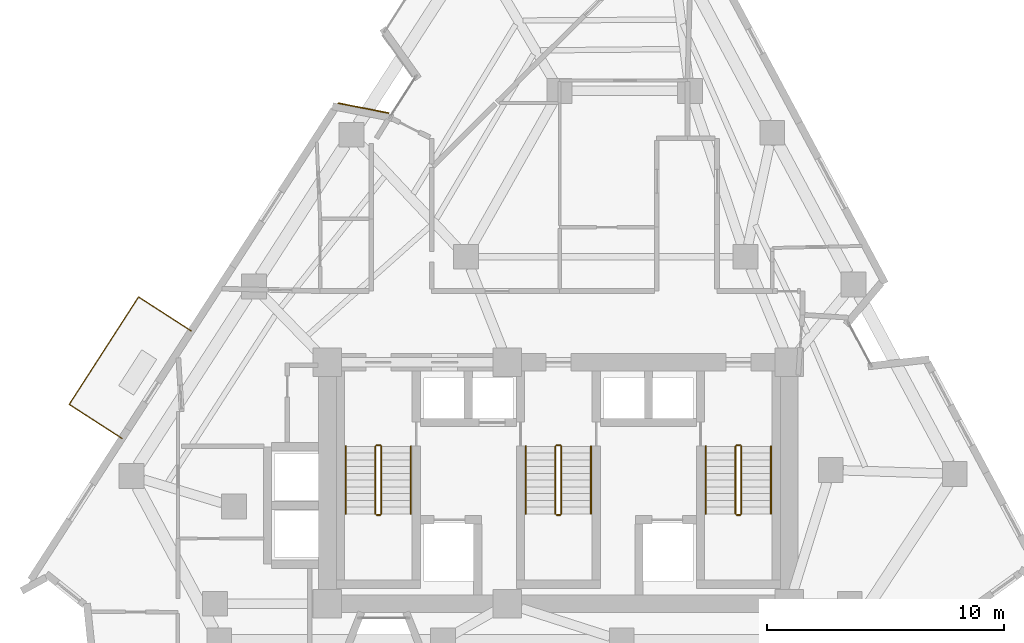
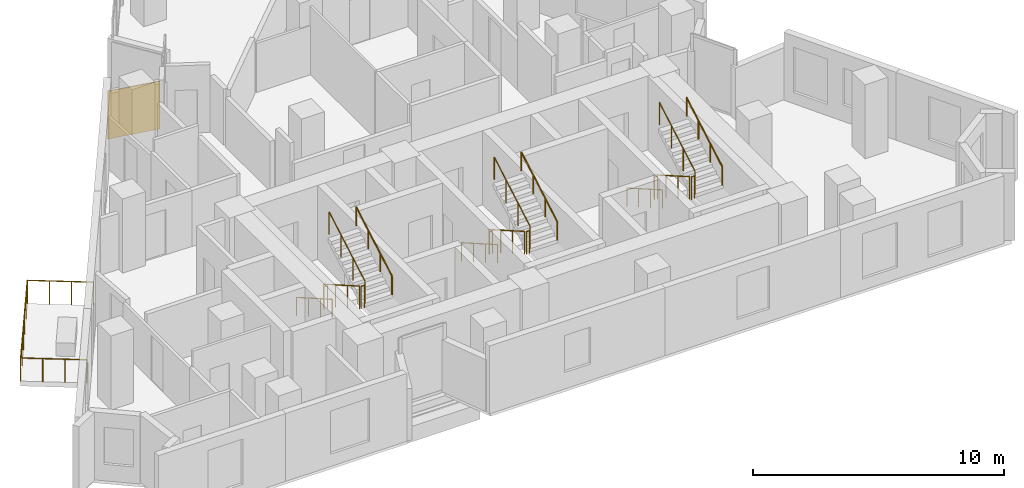
# One storey, part 10 of 11: 19 railings, 1 covering.
"""IFC4 building model written with IfcOpenShell, lengths in metres."""

from ifc_helpers import new_model, si_unit, direction, frame, origin, origin_2d, place, context, subcontext, project, spatial, rectangle, circle, extrude, material, layer, layer_set, type_object, element, save


model = new_model("IFC4")

# Units and contexts
model_context = context("Model", 3, precision=1e-05, world=origin(), true_north=direction((0.0, 1.0)))
body_context = subcontext(model_context, "Body", "Model", "MODEL_VIEW")
ifc_project = project(units=[si_unit("LENGTHUNIT", "METRE"), si_unit("AREAUNIT", "SQUARE_METRE"), si_unit("VOLUMEUNIT", "CUBIC_METRE"), si_unit("PLANEANGLEUNIT", "RADIAN"), si_unit("MASSUNIT", "GRAM", prefix="KILO")], contexts=[model_context])

# Site, building, storey
site_placement = place(None, origin())
site = spatial("IfcSite", under=ifc_project, at=site_placement, CompositionType="ELEMENT")
building_placement = place(site_placement, origin())
building = spatial("IfcBuilding", under=site, at=building_placement, Name="Almagre Mirador Tower", CompositionType="ELEMENT")
storey_placement = place(building_placement, frame((0.0, 0.0, 193.199951171875)))
storey = spatial("IfcBuildingStorey", under=building, at=storey_placement, Name="L50", CompositionType="ELEMENT", Elevation=193.199951171875)

# Covering
ifc_material_1 = material(Name="Almagre terracotta architectural cladding", Category="masonry")
ifc_layer = layer(ifc_material_1, 0.044921875)
ifc_layer_set = layer_set([ifc_layer], Name="Almagre terracotta architectural cladding")
covering_type = type_object("IfcCoveringType", Name="COV-CLAD-ALMAGRE", PredefinedType="CLADDING", material=ifc_layer_set)
covering_placement = place(storey_placement, frame((29.07275390625, 25.473876953125, 0.10009765625), z_axis=(0.0, 0.0, 1.0), x_axis=(0.981181616545, -0.193087118563, 0.0)))
element("IfcCovering", 1, at=covering_placement, inside=storey, type_object=covering_type, Name="L50 almagre terracotta pier cladding", PredefinedType="CLADDING", context=body_context, shape_type="SweptSolid", body=[
    extrude(rectangle(XDim=2.195068359375, YDim=0.044921875, at=origin_2d()), origin(), (0.0, 0.0, 1.0), 2.324951171875),
])

# Railings
ifc_material_2 = material(Name="Black anodized aluminium", Category="aluminium")
railing_type_1 = type_object("IfcRailingType", Name="RLG-BAL-1150", PredefinedType="BALUSTRADE", material=ifc_material_2)
railing_1_placement = place(storey_placement, frame((21.802978515625, 16.069091796875, 0.0)))
element("IfcRailing", 2, at=railing_1_placement, inside=storey, type_object=railing_type_1, Name="L50 west balcony balustrade 1", PredefinedType="BALUSTRADE", context=body_context, shape_type="SweptSolid", body=[
    extrude(circle(Radius=0.02392578125, at=origin_2d()), frame((0.0, 0.0, 1.1259765625), z_axis=(-0.840363006346, 0.542024000913, 0.0), x_axis=(-0.542024000913, -0.840363006346, 0.0)), (0.0, 0.0, 1.0), 2.64892578125),
    extrude(circle(Radius=0.02392578125, at=origin_2d()), frame((-2.22607421875, 1.435791015625, 1.1259765625), z_axis=(-0.542043453001, -0.840350459665, 0.0), x_axis=(0.840350459665, -0.542043453001, 0.0)), (0.0, 0.0, 1.0), 5.39990234375),
    extrude(circle(Radius=0.02392578125, at=origin_2d()), frame((-5.153076171875, -3.10205078125, 1.1259765625), z_axis=(0.840429304159, -0.54192119788, 0.0), x_axis=(0.54192119788, 0.840429304159, 0.0)), (0.0, 0.0, 1.0), 2.64990234375),
    extrude(circle(Radius=0.02099609375, at=origin_2d()), origin(), (0.0, 0.0, 1.0), 1.101806640625),
    extrude(circle(Radius=0.02099609375, at=origin_2d()), frame((-0.741943359375, 0.478515625, 0.0)), (0.0, 0.0, 1.0), 1.101806640625),
    extrude(circle(Radius=0.02099609375, at=origin_2d()), frame((-1.484130859375, 0.957275390625, 0.0)), (0.0, 0.0, 1.0), 1.101806640625),
    extrude(circle(Radius=0.02099609375, at=origin_2d()), frame((-2.22607421875, 1.435791015625, 0.0)), (0.0, 0.0, 1.0), 1.101806640625),
    extrude(circle(Radius=0.02099609375, at=origin_2d()), frame((-2.8115234375, 0.5283203125, 0.0)), (0.0, 0.0, 1.0), 1.101806640625),
    extrude(circle(Radius=0.02099609375, at=origin_2d()), frame((-3.39697265625, -0.37939453125, 0.0)), (0.0, 0.0, 1.0), 1.101806640625),
    extrude(circle(Radius=0.02099609375, at=origin_2d()), frame((-3.982177734375, -1.286865234375, 0.0)), (0.0, 0.0, 1.0), 1.101806640625),
    extrude(circle(Radius=0.02099609375, at=origin_2d()), frame((-4.567626953125, -2.194580078125, 0.0)), (0.0, 0.0, 1.0), 1.101806640625),
    extrude(circle(Radius=0.02099609375, at=origin_2d()), frame((-5.153076171875, -3.10205078125, 0.0)), (0.0, 0.0, 1.0), 1.101806640625),
    extrude(circle(Radius=0.02099609375, at=origin_2d()), frame((-4.41064453125, -3.580810546875, 0.0)), (0.0, 0.0, 1.0), 1.101806640625),
    extrude(circle(Radius=0.02099609375, at=origin_2d()), frame((-3.66845703125, -4.059326171875, 0.0)), (0.0, 0.0, 1.0), 1.101806640625),
    extrude(circle(Radius=0.02099609375, at=origin_2d()), frame((-2.926025390625, -4.5380859375, 0.0)), (0.0, 0.0, 1.0), 1.101806640625),
])
ifc_material_3 = material(Name="Painted galvanized steel", Category="steel")
railing_type_2 = type_object("IfcRailingType", Name="RLG-GRD-1100", PredefinedType="GUARDRAIL", material=ifc_material_3)
railing_2_placement = place(storey_placement, frame((29.574951171875, 11.199951171875, 0.16357421875)))
element("IfcRailing", 3, at=railing_2_placement, inside=storey, type_object=railing_type_2, Name="L50 ST-1 stair guard 1", PredefinedType="GUARDRAIL", context=body_context, shape_type="SweptSolid", body=[
    extrude(circle(Radius=0.02392578125, at=origin_2d()), frame((0.0, 0.0, 1.09619140625), z_axis=(0.0, -0.867194282975, 0.497969954491), x_axis=(1.0, 0.0, 0.0)), (0.0, 0.0, 1.0), 3.286376953125),
    extrude(circle(Radius=0.02099609375, at=origin_2d()), origin(), (0.0, 0.0, 1.0), 1.072021484375),
    extrude(circle(Radius=0.02099609375, at=origin_2d()), frame((0.0, -0.949951171875, 0.54541015625)), (0.0, 0.0, 1.0), 1.072021484375),
    extrude(circle(Radius=0.02099609375, at=origin_2d()), frame((0.0, -1.89990234375, 1.091064453125)), (0.0, 0.0, 1.0), 1.072021484375),
    extrude(circle(Radius=0.02099609375, at=origin_2d()), frame((0.0, -2.849853515625, 1.636474609375)), (0.0, 0.0, 1.0), 1.072021484375),
])
railing_3_placement = place(storey_placement, frame((29.625, 8.300048828125, 1.800048828125)))
element("IfcRailing", 4, at=railing_3_placement, inside=storey, type_object=railing_type_2, Name="L50 ST-1 stair guard 2", PredefinedType="GUARDRAIL", context=body_context, shape_type="SweptSolid", body=[
    extrude(circle(Radius=0.02392578125, at=origin_2d()), frame((0.0, 0.0, 1.09619140625), z_axis=(1.0, 0.0, 0.0), x_axis=(0.0, 1.0, 0.0)), (0.0, 0.0, 1.0), 0.14990234375),
    extrude(circle(Radius=0.02099609375, at=origin_2d()), origin(), (0.0, 0.0, 1.0), 1.072021484375),
    extrude(circle(Radius=0.02099609375, at=origin_2d()), frame((0.14990234375, 0.0, 0.0)), (0.0, 0.0, 1.0), 1.072021484375),
])
railing_4_placement = place(storey_placement, frame((29.824951171875, 8.35009765625, 1.963623046875)))
element("IfcRailing", 5, at=railing_4_placement, inside=storey, type_object=railing_type_2, Name="L50 ST-1 stair guard 3", PredefinedType="GUARDRAIL", context=body_context, shape_type="SweptSolid", body=[
    extrude(circle(Radius=0.02392578125, at=origin_2d()), frame((0.0, 0.0, 1.09619140625), z_axis=(0.0, 0.867194282975, 0.497969954491), x_axis=(-1.0, 0.0, 0.0)), (0.0, 0.0, 1.0), 3.286376953125),
    extrude(circle(Radius=0.02099609375, at=origin_2d()), origin(), (0.0, 0.0, 1.0), 1.072021484375),
    extrude(circle(Radius=0.02099609375, at=origin_2d()), frame((0.0, 0.949951171875, 0.54541015625)), (0.0, 0.0, 1.0), 1.072021484375),
    extrude(circle(Radius=0.02099609375, at=origin_2d()), frame((0.0, 1.89990234375, 1.091064453125)), (0.0, 0.0, 1.0), 1.072021484375),
    extrude(circle(Radius=0.02099609375, at=origin_2d()), frame((0.0, 2.849853515625, 1.636474609375)), (0.0, 0.0, 1.0), 1.072021484375),
])
railing_5_placement = place(storey_placement, frame((29.625, 11.25, 0.0)))
element("IfcRailing", 6, at=railing_5_placement, inside=storey, type_object=railing_type_2, Name="L50 ST-1 stair guard 4", PredefinedType="GUARDRAIL", context=body_context, shape_type="SweptSolid", body=[
    extrude(circle(Radius=0.02392578125, at=origin_2d()), frame((0.0, 0.0, 1.09619140625), z_axis=(1.0, 0.0, 0.0), x_axis=(0.0, 1.0, 0.0)), (0.0, 0.0, 1.0), 0.14990234375),
    extrude(circle(Radius=0.02099609375, at=origin_2d()), origin(), (0.0, 0.0, 1.0), 1.072021484375),
    extrude(circle(Radius=0.02099609375, at=origin_2d()), frame((0.14990234375, 0.0, 0.0)), (0.0, 0.0, 1.0), 1.072021484375),
])
railing_6_placement = place(storey_placement, frame((37.175048828125, 11.199951171875, 0.16357421875)))
element("IfcRailing", 7, at=railing_6_placement, inside=storey, type_object=railing_type_2, Name="L50 ST-2 stair guard 1", PredefinedType="GUARDRAIL", context=body_context, shape_type="SweptSolid", body=[
    extrude(circle(Radius=0.02392578125, at=origin_2d()), frame((0.0, 0.0, 1.09619140625), z_axis=(0.0, -0.867194282975, 0.497969954491), x_axis=(1.0, 0.0, 0.0)), (0.0, 0.0, 1.0), 3.286376953125),
    extrude(circle(Radius=0.02099609375, at=origin_2d()), origin(), (0.0, 0.0, 1.0), 1.072021484375),
    extrude(circle(Radius=0.02099609375, at=origin_2d()), frame((0.0, -0.949951171875, 0.54541015625)), (0.0, 0.0, 1.0), 1.072021484375),
    extrude(circle(Radius=0.02099609375, at=origin_2d()), frame((0.0, -1.89990234375, 1.091064453125)), (0.0, 0.0, 1.0), 1.072021484375),
    extrude(circle(Radius=0.02099609375, at=origin_2d()), frame((0.0, -2.849853515625, 1.636474609375)), (0.0, 0.0, 1.0), 1.072021484375),
])
railing_7_placement = place(storey_placement, frame((37.22509765625, 8.300048828125, 1.800048828125)))
element("IfcRailing", 8, at=railing_7_placement, inside=storey, type_object=railing_type_2, Name="L50 ST-2 stair guard 2", PredefinedType="GUARDRAIL", context=body_context, shape_type="SweptSolid", body=[
    extrude(circle(Radius=0.02392578125, at=origin_2d()), frame((0.0, 0.0, 1.09619140625), z_axis=(1.0, 0.0, 0.0), x_axis=(0.0, 1.0, 0.0)), (0.0, 0.0, 1.0), 0.14990234375),
    extrude(circle(Radius=0.02099609375, at=origin_2d()), origin(), (0.0, 0.0, 1.0), 1.072021484375),
    extrude(circle(Radius=0.02099609375, at=origin_2d()), frame((0.14990234375, 0.0, 0.0)), (0.0, 0.0, 1.0), 1.072021484375),
])
railing_8_placement = place(storey_placement, frame((37.425048828125, 8.35009765625, 1.963623046875)))
element("IfcRailing", 9, at=railing_8_placement, inside=storey, type_object=railing_type_2, Name="L50 ST-2 stair guard 3", PredefinedType="GUARDRAIL", context=body_context, shape_type="SweptSolid", body=[
    extrude(circle(Radius=0.02392578125, at=origin_2d()), frame((0.0, 0.0, 1.09619140625), z_axis=(0.0, 0.867194282975, 0.497969954491), x_axis=(-1.0, 0.0, 0.0)), (0.0, 0.0, 1.0), 3.286376953125),
    extrude(circle(Radius=0.02099609375, at=origin_2d()), origin(), (0.0, 0.0, 1.0), 1.072021484375),
    extrude(circle(Radius=0.02099609375, at=origin_2d()), frame((0.0, 0.949951171875, 0.54541015625)), (0.0, 0.0, 1.0), 1.072021484375),
    extrude(circle(Radius=0.02099609375, at=origin_2d()), frame((0.0, 1.89990234375, 1.091064453125)), (0.0, 0.0, 1.0), 1.072021484375),
    extrude(circle(Radius=0.02099609375, at=origin_2d()), frame((0.0, 2.849853515625, 1.636474609375)), (0.0, 0.0, 1.0), 1.072021484375),
])
railing_9_placement = place(storey_placement, frame((37.22509765625, 11.25, 0.0)))
element("IfcRailing", 10, at=railing_9_placement, inside=storey, type_object=railing_type_2, Name="L50 ST-2 stair guard 4", PredefinedType="GUARDRAIL", context=body_context, shape_type="SweptSolid", body=[
    extrude(circle(Radius=0.02392578125, at=origin_2d()), frame((0.0, 0.0, 1.09619140625), z_axis=(1.0, 0.0, 0.0), x_axis=(0.0, 1.0, 0.0)), (0.0, 0.0, 1.0), 0.14990234375),
    extrude(circle(Radius=0.02099609375, at=origin_2d()), origin(), (0.0, 0.0, 1.0), 1.072021484375),
    extrude(circle(Radius=0.02099609375, at=origin_2d()), frame((0.14990234375, 0.0, 0.0)), (0.0, 0.0, 1.0), 1.072021484375),
])
railing_10_placement = place(storey_placement, frame((44.77490234375, 11.199951171875, 0.16357421875)))
element("IfcRailing", 11, at=railing_10_placement, inside=storey, type_object=railing_type_2, Name="L50 ST-3 stair guard 1", PredefinedType="GUARDRAIL", context=body_context, shape_type="SweptSolid", body=[
    extrude(circle(Radius=0.02392578125, at=origin_2d()), frame((0.0, 0.0, 1.09619140625), z_axis=(0.0, -0.867194282975, 0.497969954491), x_axis=(1.0, 0.0, 0.0)), (0.0, 0.0, 1.0), 3.286376953125),
    extrude(circle(Radius=0.02099609375, at=origin_2d()), origin(), (0.0, 0.0, 1.0), 1.072021484375),
    extrude(circle(Radius=0.02099609375, at=origin_2d()), frame((0.0, -0.949951171875, 0.54541015625)), (0.0, 0.0, 1.0), 1.072021484375),
    extrude(circle(Radius=0.02099609375, at=origin_2d()), frame((0.0, -1.89990234375, 1.091064453125)), (0.0, 0.0, 1.0), 1.072021484375),
    extrude(circle(Radius=0.02099609375, at=origin_2d()), frame((0.0, -2.849853515625, 1.636474609375)), (0.0, 0.0, 1.0), 1.072021484375),
])
railing_11_placement = place(storey_placement, frame((44.824951171875, 8.300048828125, 1.800048828125)))
element("IfcRailing", 12, at=railing_11_placement, inside=storey, type_object=railing_type_2, Name="L50 ST-3 stair guard 2", PredefinedType="GUARDRAIL", context=body_context, shape_type="SweptSolid", body=[
    extrude(circle(Radius=0.02392578125, at=origin_2d()), frame((0.0, 0.0, 1.09619140625), z_axis=(1.0, 0.0, 0.0), x_axis=(0.0, 1.0, 0.0)), (0.0, 0.0, 1.0), 0.150146484375),
    extrude(circle(Radius=0.02099609375, at=origin_2d()), origin(), (0.0, 0.0, 1.0), 1.072021484375),
    extrude(circle(Radius=0.02099609375, at=origin_2d()), frame((0.150146484375, 0.0, 0.0)), (0.0, 0.0, 1.0), 1.072021484375),
])
railing_12_placement = place(storey_placement, frame((45.02490234375, 8.35009765625, 1.963623046875)))
element("IfcRailing", 13, at=railing_12_placement, inside=storey, type_object=railing_type_2, Name="L50 ST-3 stair guard 3", PredefinedType="GUARDRAIL", context=body_context, shape_type="SweptSolid", body=[
    extrude(circle(Radius=0.02392578125, at=origin_2d()), frame((0.0, 0.0, 1.09619140625), z_axis=(0.0, 0.867194282975, 0.497969954491), x_axis=(-1.0, 0.0, 0.0)), (0.0, 0.0, 1.0), 3.286376953125),
    extrude(circle(Radius=0.02099609375, at=origin_2d()), origin(), (0.0, 0.0, 1.0), 1.072021484375),
    extrude(circle(Radius=0.02099609375, at=origin_2d()), frame((0.0, 0.949951171875, 0.54541015625)), (0.0, 0.0, 1.0), 1.072021484375),
    extrude(circle(Radius=0.02099609375, at=origin_2d()), frame((0.0, 1.89990234375, 1.091064453125)), (0.0, 0.0, 1.0), 1.072021484375),
    extrude(circle(Radius=0.02099609375, at=origin_2d()), frame((0.0, 2.849853515625, 1.636474609375)), (0.0, 0.0, 1.0), 1.072021484375),
])
railing_13_placement = place(storey_placement, frame((44.824951171875, 11.25, 0.0)))
element("IfcRailing", 14, at=railing_13_placement, inside=storey, type_object=railing_type_2, Name="L50 ST-3 stair guard 4", PredefinedType="GUARDRAIL", context=body_context, shape_type="SweptSolid", body=[
    extrude(circle(Radius=0.02392578125, at=origin_2d()), frame((0.0, 0.0, 1.09619140625), z_axis=(1.0, 0.0, 0.0), x_axis=(0.0, 1.0, 0.0)), (0.0, 0.0, 1.0), 0.150146484375),
    extrude(circle(Radius=0.02099609375, at=origin_2d()), origin(), (0.0, 0.0, 1.0), 1.072021484375),
    extrude(circle(Radius=0.02099609375, at=origin_2d()), frame((0.150146484375, 0.0, 0.0)), (0.0, 0.0, 1.0), 1.072021484375),
])
ifc_material_4 = material(Name="Brushed stainless steel", Category="steel")
railing_type_3 = type_object("IfcRailingType", Name="RLG-HND-915", PredefinedType="HANDRAIL", material=ifc_material_4)
railing_14_placement = place(storey_placement, frame((28.324951171875, 11.199951171875, 0.16357421875)))
element("IfcRailing", 15, at=railing_14_placement, inside=storey, type_object=railing_type_3, Name="L50 ST-1 stair handrail 1", PredefinedType="HANDRAIL", context=body_context, shape_type="SweptSolid", body=[
    extrude(circle(Radius=0.02392578125, at=origin_2d()), frame((0.0, 0.0, 0.89111328125), z_axis=(0.0, -0.867194282975, 0.497969954491), x_axis=(1.0, 0.0, 0.0)), (0.0, 0.0, 1.0), 3.286376953125),
    extrude(circle(Radius=0.02099609375, at=origin_2d()), origin(), (0.0, 0.0, 1.0), 0.866943359375),
    extrude(circle(Radius=0.02099609375, at=origin_2d()), frame((0.0, -0.949951171875, 0.54541015625)), (0.0, 0.0, 1.0), 0.866943359375),
    extrude(circle(Radius=0.02099609375, at=origin_2d()), frame((0.0, -1.89990234375, 1.091064453125)), (0.0, 0.0, 1.0), 0.866943359375),
    extrude(circle(Radius=0.02099609375, at=origin_2d()), frame((0.0, -2.849853515625, 1.636474609375)), (0.0, 0.0, 1.0), 0.866943359375),
])
railing_15_placement = place(storey_placement, frame((31.074951171875, 8.35009765625, 1.963623046875)))
element("IfcRailing", 16, at=railing_15_placement, inside=storey, type_object=railing_type_3, Name="L50 ST-1 stair handrail 2", PredefinedType="HANDRAIL", context=body_context, shape_type="SweptSolid", body=[
    extrude(circle(Radius=0.02392578125, at=origin_2d()), frame((0.0, 0.0, 0.89111328125), z_axis=(0.0, 0.867194282975, 0.497969954491), x_axis=(-1.0, 0.0, 0.0)), (0.0, 0.0, 1.0), 3.286376953125),
    extrude(circle(Radius=0.02099609375, at=origin_2d()), origin(), (0.0, 0.0, 1.0), 0.866943359375),
    extrude(circle(Radius=0.02099609375, at=origin_2d()), frame((0.0, 0.949951171875, 0.54541015625)), (0.0, 0.0, 1.0), 0.866943359375),
    extrude(circle(Radius=0.02099609375, at=origin_2d()), frame((0.0, 1.89990234375, 1.091064453125)), (0.0, 0.0, 1.0), 0.866943359375),
    extrude(circle(Radius=0.02099609375, at=origin_2d()), frame((0.0, 2.849853515625, 1.636474609375)), (0.0, 0.0, 1.0), 0.866943359375),
])
railing_16_placement = place(storey_placement, frame((35.925048828125, 11.199951171875, 0.16357421875)))
element("IfcRailing", 17, at=railing_16_placement, inside=storey, type_object=railing_type_3, Name="L50 ST-2 stair handrail 1", PredefinedType="HANDRAIL", context=body_context, shape_type="SweptSolid", body=[
    extrude(circle(Radius=0.02392578125, at=origin_2d()), frame((0.0, 0.0, 0.89111328125), z_axis=(0.0, -0.867194282975, 0.497969954491), x_axis=(1.0, 0.0, 0.0)), (0.0, 0.0, 1.0), 3.286376953125),
    extrude(circle(Radius=0.02099609375, at=origin_2d()), origin(), (0.0, 0.0, 1.0), 0.866943359375),
    extrude(circle(Radius=0.02099609375, at=origin_2d()), frame((0.0, -0.949951171875, 0.54541015625)), (0.0, 0.0, 1.0), 0.866943359375),
    extrude(circle(Radius=0.02099609375, at=origin_2d()), frame((0.0, -1.89990234375, 1.091064453125)), (0.0, 0.0, 1.0), 0.866943359375),
    extrude(circle(Radius=0.02099609375, at=origin_2d()), frame((0.0, -2.849853515625, 1.636474609375)), (0.0, 0.0, 1.0), 0.866943359375),
])
railing_17_placement = place(storey_placement, frame((38.675048828125, 8.35009765625, 1.963623046875)))
element("IfcRailing", 18, at=railing_17_placement, inside=storey, type_object=railing_type_3, Name="L50 ST-2 stair handrail 2", PredefinedType="HANDRAIL", context=body_context, shape_type="SweptSolid", body=[
    extrude(circle(Radius=0.02392578125, at=origin_2d()), frame((0.0, 0.0, 0.89111328125), z_axis=(0.0, 0.867194282975, 0.497969954491), x_axis=(-1.0, 0.0, 0.0)), (0.0, 0.0, 1.0), 3.286376953125),
    extrude(circle(Radius=0.02099609375, at=origin_2d()), origin(), (0.0, 0.0, 1.0), 0.866943359375),
    extrude(circle(Radius=0.02099609375, at=origin_2d()), frame((0.0, 0.949951171875, 0.54541015625)), (0.0, 0.0, 1.0), 0.866943359375),
    extrude(circle(Radius=0.02099609375, at=origin_2d()), frame((0.0, 1.89990234375, 1.091064453125)), (0.0, 0.0, 1.0), 0.866943359375),
    extrude(circle(Radius=0.02099609375, at=origin_2d()), frame((0.0, 2.849853515625, 1.636474609375)), (0.0, 0.0, 1.0), 0.866943359375),
])
railing_18_placement = place(storey_placement, frame((43.52490234375, 11.199951171875, 0.16357421875)))
element("IfcRailing", 19, at=railing_18_placement, inside=storey, type_object=railing_type_3, Name="L50 ST-3 stair handrail 1", PredefinedType="HANDRAIL", context=body_context, shape_type="SweptSolid", body=[
    extrude(circle(Radius=0.02392578125, at=origin_2d()), frame((0.0, 0.0, 0.89111328125), z_axis=(0.0, -0.867194282975, 0.497969954491), x_axis=(1.0, 0.0, 0.0)), (0.0, 0.0, 1.0), 3.286376953125),
    extrude(circle(Radius=0.02099609375, at=origin_2d()), origin(), (0.0, 0.0, 1.0), 0.866943359375),
    extrude(circle(Radius=0.02099609375, at=origin_2d()), frame((0.0, -0.949951171875, 0.54541015625)), (0.0, 0.0, 1.0), 0.866943359375),
    extrude(circle(Radius=0.02099609375, at=origin_2d()), frame((0.0, -1.89990234375, 1.091064453125)), (0.0, 0.0, 1.0), 0.866943359375),
    extrude(circle(Radius=0.02099609375, at=origin_2d()), frame((0.0, -2.849853515625, 1.636474609375)), (0.0, 0.0, 1.0), 0.866943359375),
])
railing_19_placement = place(storey_placement, frame((46.27490234375, 8.35009765625, 1.963623046875)))
element("IfcRailing", 20, at=railing_19_placement, inside=storey, type_object=railing_type_3, Name="L50 ST-3 stair handrail 2", PredefinedType="HANDRAIL", context=body_context, shape_type="SweptSolid", body=[
    extrude(circle(Radius=0.02392578125, at=origin_2d()), frame((0.0, 0.0, 0.89111328125), z_axis=(0.0, 0.867194282975, 0.497969954491), x_axis=(-1.0, 0.0, 0.0)), (0.0, 0.0, 1.0), 3.286376953125),
    extrude(circle(Radius=0.02099609375, at=origin_2d()), origin(), (0.0, 0.0, 1.0), 0.866943359375),
    extrude(circle(Radius=0.02099609375, at=origin_2d()), frame((0.0, 0.949951171875, 0.54541015625)), (0.0, 0.0, 1.0), 0.866943359375),
    extrude(circle(Radius=0.02099609375, at=origin_2d()), frame((0.0, 1.89990234375, 1.091064453125)), (0.0, 0.0, 1.0), 0.866943359375),
    extrude(circle(Radius=0.02099609375, at=origin_2d()), frame((0.0, 2.849853515625, 1.636474609375)), (0.0, 0.0, 1.0), 0.866943359375),
])

save(model, "model.ifc")
